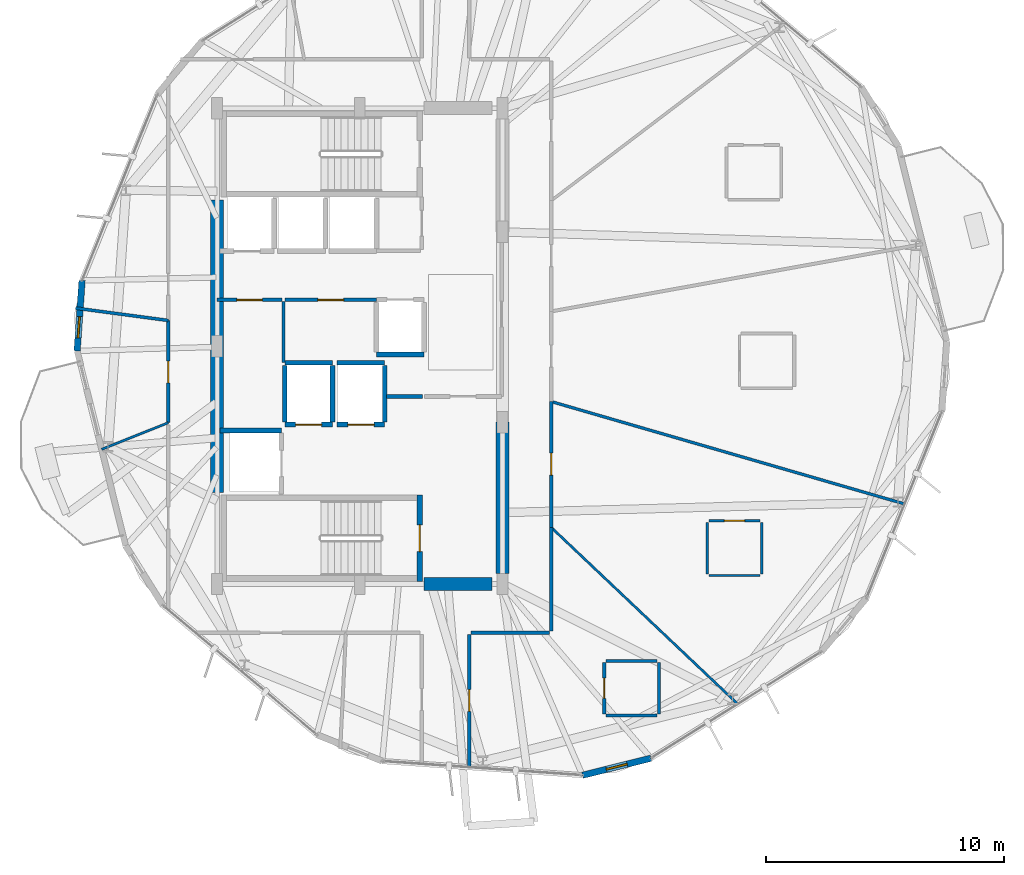
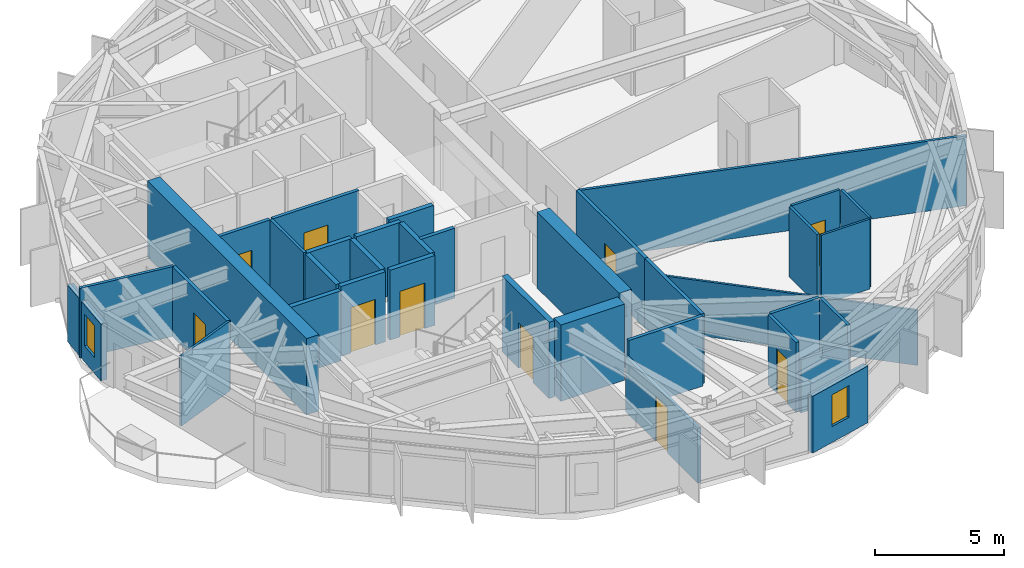
# One storey, part 16 of 22: 36 walls, 10 doors, 2 windows, 12 openings.
"""IFC4 building model written with IfcOpenShell, lengths in metres."""

from ifc_helpers import new_model, si_unit, direction, frame, frame_2d, origin, place, context, subcontext, project, spatial, rectangle, extrude, material, layer, layer_set, type_object, element, fill, save


model = new_model("IFC4")

# Units and contexts
model_context = context("Model", 3, precision=1e-05, world=origin(), true_north=direction((0.0, 1.0)))
body_context = subcontext(model_context, "Body", "Model", "MODEL_VIEW")
ifc_project = project(units=[si_unit("LENGTHUNIT", "METRE"), si_unit("AREAUNIT", "SQUARE_METRE"), si_unit("VOLUMEUNIT", "CUBIC_METRE"), si_unit("PLANEANGLEUNIT", "RADIAN"), si_unit("MASSUNIT", "GRAM", prefix="KILO")], contexts=[model_context])

# Site, building, storey
site_placement = place(None, origin())
site = spatial("IfcSite", under=ifc_project, at=site_placement, CompositionType="ELEMENT")
building_placement = place(site_placement, origin())
building = spatial("IfcBuilding", under=site, at=building_placement, Name="Soratama Intermodal Tower", CompositionType="ELEMENT")
storey_placement = place(building_placement, frame((0.0, 0.0, 157.0)))
storey = spatial("IfcBuildingStorey", under=building, at=storey_placement, Name="L38", CompositionType="ELEMENT", Elevation=157.0)

# Wall, opening, window
ifc_material_1 = material(Name="Concrete f'c 42 MPa", Category="concrete")
ifc_layer_1 = layer(ifc_material_1, 0.27001953125)
ifc_layer_set_1 = layer_set([ifc_layer_1], Name="Concrete f'c 42 MPa")
wall_type_1 = type_object("IfcWallType", Name="EW-CRN-270", PredefinedType="SOLIDWALL", material=ifc_layer_set_1)
wall_1_placement = place(storey_placement, frame((26.927001953125, 27.757080078125, 0.0), z_axis=(0.0, 0.0, 1.0), x_axis=(-0.070118221482, -0.997538688481, 0.0)))
wall_1 = element("IfcWall", 1, at=wall_1_placement, inside=storey, type_object=wall_type_1, Name="L38 Corner Closure Wall 04", PredefinedType="SOLIDWALL", context=body_context, shape_type="SweptSolid", body=[
    extrude(rectangle(XDim=2.966552734375, YDim=0.27001953125, at=frame_2d((1.4833984375, 0.0))), origin(), (0.0, 0.0, 1.0), 2.678955078125),
])
opening_1_placement = place(wall_1_placement, frame((1.519287109375, 0.0, 0.75)))
opening_1 = element("IfcOpeningElement", 2, at=opening_1_placement, cuts=wall_1, Name="Opening WN-6", PredefinedType="OPENING", context=body_context, shape_type="SweptSolid", body=[
    extrude(rectangle(XDim=0.89990234375, YDim=1.5, at=frame_2d((0.449951171875, 0.75))), frame((0.0, 0.14501953125, 0.0), z_axis=(0.0, -1.0, 0.0), x_axis=(1.0, 0.0, 0.0)), (0.0, 0.0, 1.0), 0.2900390625),
])
ifc_material_2 = material(Name="Double-glazed aluminium window", Category="aluminium")
window_type = type_object("IfcWindowType", Name="WN-FAC-900", PartitioningType="SINGLE_PANEL", PredefinedType="WINDOW", material=ifc_material_2)
window_1_placement = place(opening_1_placement, origin())
window_1 = element("IfcWindow", 3, at=window_1_placement, inside=storey, type_object=window_type, Name="L38 Corner Window 04", OverallHeight=1.5, OverallWidth=0.89990234375, PartitioningType="SINGLE_PANEL", PredefinedType="WINDOW", context=body_context, shape_type="SweptSolid", body=[
    extrude(rectangle(XDim=0.89990234375, YDim=1.5, at=frame_2d((0.449951171875, 0.75))), frame((0.0, 0.030029296875, 0.0), z_axis=(0.0, -1.0, 0.0), x_axis=(1.0, 0.0, 0.0)), (0.0, 0.0, 1.0), 0.06005859375),
])
fill(opening_1, window_1)

wall_2_placement = place(storey_placement, frame((47.962890625, 6.95947265625, 0.0), z_axis=(0.0, 0.0, 1.0), x_axis=(0.970388894823, 0.241547909957, 0.0)))
wall_2 = element("IfcWall", 4, at=wall_2_placement, inside=storey, type_object=wall_type_1, Name="L38 Corner Closure Wall 07", PredefinedType="SOLIDWALL", context=body_context, shape_type="SweptSolid", body=[
    extrude(rectangle(XDim=2.966552734375, YDim=0.27001953125, at=frame_2d((1.4833984375, 0.0))), origin(), (0.0, 0.0, 1.0), 2.678955078125),
])
opening_2_placement = place(wall_2_placement, frame((1.033203125, 0.0, 0.75)))
opening_2 = element("IfcOpeningElement", 5, at=opening_2_placement, cuts=wall_2, Name="Opening WN-6", PredefinedType="OPENING", context=body_context, shape_type="SweptSolid", body=[
    extrude(rectangle(XDim=0.89990234375, YDim=1.5, at=frame_2d((0.449951171875, 0.75))), frame((0.0, 0.14501953125, 0.0), z_axis=(0.0, -1.0, 0.0), x_axis=(1.0, 0.0, 0.0)), (0.0, 0.0, 1.0), 0.2900390625),
])
window_2_placement = place(opening_2_placement, origin())
window_2 = element("IfcWindow", 6, at=window_2_placement, inside=storey, type_object=window_type, Name="L38 Corner Window 07", OverallHeight=1.5, OverallWidth=0.89990234375, PartitioningType="SINGLE_PANEL", PredefinedType="WINDOW", context=body_context, shape_type="SweptSolid", body=[
    extrude(rectangle(XDim=0.89990234375, YDim=1.5, at=frame_2d((0.449951171875, 0.75))), frame((0.0, 0.030029296875, 0.0), z_axis=(0.0, -1.0, 0.0), x_axis=(1.0, 0.0, 0.0)), (0.0, 0.0, 1.0), 0.06005859375),
])
fill(opening_2, window_2)

# Wall, opening, door
ifc_material_3 = material(Name="Fire-rated gypsum stud partition", Category="concrete")
ifc_layer_2 = layer(ifc_material_3, 0.14990234375)
ifc_layer_set_2 = layer_set([ifc_layer_2], Name="Fire-rated gypsum stud partition")
wall_type_2 = type_object("IfcWallType", Name="IW-PART-R150", PredefinedType="PARTITIONING", material=ifc_layer_set_2)
wall_3_placement = place(storey_placement, frame((43.199951171875, 12.8798828125, 0.0), z_axis=(0.0, 0.0, 1.0), x_axis=(0.0, -1.0, 0.0)))
wall_3 = element("IfcWall", 7, at=wall_3_placement, inside=storey, type_object=wall_type_2, Name="L38 Partition W-L38-TP012", PredefinedType="PARTITIONING", context=body_context, shape_type="SweptSolid", body=[
    extrude(rectangle(XDim=5.5859375, YDim=0.14990234375, at=frame_2d((2.79296875, 0.0))), origin(), (0.0, 0.0, 1.0), 2.594970703125),
])
opening_3_placement = place(wall_3_placement, frame((2.318115234375, 0.0, 0.0)))
opening_3 = element("IfcOpeningElement", 8, at=opening_3_placement, cuts=wall_3, Name="Opening ID-6", PredefinedType="OPENING", context=body_context, shape_type="SweptSolid", body=[
    extrude(rectangle(XDim=0.919921875, YDim=2.1201171875, at=frame_2d((0.4599609375, 1.06005859375))), frame((0.0, 0.0849609375, 0.0), z_axis=(0.0, -1.0, 0.0), x_axis=(1.0, 0.0, 0.0)), (0.0, 0.0, 1.0), 0.169921875),
])
ifc_material_4 = material(Name="Solid hardwood acoustic door", Category="wood")
door_type_1 = type_object("IfcDoorType", Name="DR-ROOM-920", OperationType="NOTDEFINED", PredefinedType="DOOR", material=ifc_material_4)
door_1_placement = place(opening_3_placement, origin())
door_1 = element("IfcDoor", 9, at=door_1_placement, inside=storey, type_object=door_type_1, Name="L38 Door D-L38-TP007", OperationType="SINGLE_SWING_RIGHT", OverallHeight=2.1201171875, OverallWidth=0.919921875, PredefinedType="DOOR", context=body_context, shape_type="SweptSolid", body=[
    extrude(rectangle(XDim=0.919921875, YDim=2.1201171875, at=frame_2d((0.4599609375, 1.06005859375))), frame((0.0, 0.02490234375, 0.0), z_axis=(0.0, -1.0, 0.0), x_axis=(1.0, 0.0, 0.0)), (0.0, 0.0, 1.0), 0.050048828125),
])
fill(opening_3, door_1)

wall_4_placement = place(storey_placement, frame((46.64990234375, 22.66796875, 0.0), z_axis=(0.0, 0.0, 1.0), x_axis=(0.0, -1.0, 0.0)))
wall_4 = element("IfcWall", 10, at=wall_4_placement, inside=storey, type_object=wall_type_2, Name="L38 Partition W-L38-TP014", PredefinedType="PARTITIONING", context=body_context, shape_type="SweptSolid", body=[
    extrude(rectangle(XDim=5.291015625, YDim=0.14990234375, at=frame_2d((2.6455078125, 0.0))), origin(), (0.0, 0.0, 1.0), 3.300048828125),
])
opening_4_placement = place(wall_4_placement, frame((2.1708984375, 0.0, 0.0)))
opening_4 = element("IfcOpeningElement", 11, at=opening_4_placement, cuts=wall_4, Name="Opening ID-6", PredefinedType="OPENING", context=body_context, shape_type="SweptSolid", body=[
    extrude(rectangle(XDim=0.919921875, YDim=2.1201171875, at=frame_2d((0.4599609375, 1.06005859375))), frame((0.0, 0.0849609375, 0.0), z_axis=(0.0, -1.0, 0.0), x_axis=(1.0, 0.0, 0.0)), (0.0, 0.0, 1.0), 0.169921875),
])
door_2_placement = place(opening_4_placement, origin())
door_2 = element("IfcDoor", 12, at=door_2_placement, inside=storey, type_object=door_type_1, Name="L38 Door D-L38-TP009", OperationType="SINGLE_SWING_RIGHT", OverallHeight=2.1201171875, OverallWidth=0.919921875, PredefinedType="DOOR", context=body_context, shape_type="SweptSolid", body=[
    extrude(rectangle(XDim=0.919921875, YDim=2.1201171875, at=frame_2d((0.4599609375, 1.06005859375))), frame((0.0, 0.02490234375, 0.0), z_axis=(0.0, -1.0, 0.0), x_axis=(1.0, 0.0, 0.0)), (0.0, 0.0, 1.0), 0.050048828125),
])
fill(opening_4, door_2)

# Wall
wall_5_placement = place(storey_placement, frame((46.64990234375, 17.376953125, 0.0), z_axis=(0.0, 0.0, 1.0), x_axis=(0.0, -1.0, 0.0)))
element("IfcWall", 13, at=wall_5_placement, inside=storey, type_object=wall_type_2, Name="L38 Partition W-L38-TP019", PredefinedType="PARTITIONING", context=body_context, shape_type="SweptSolid", body=[
    extrude(rectangle(XDim=4.35693359375, YDim=0.14990234375, at=frame_2d((2.178466796875, 0.0))), origin(), (0.0, 0.0, 1.0), 3.300048828125),
])

# Wall, opening, door
wall_6_placement = place(storey_placement, frame((30.550048828125, 21.778076171875, 0.0), z_axis=(0.0, 0.0, 1.0), x_axis=(0.0, 1.0, 0.0)))
wall_6 = element("IfcWall", 14, at=wall_6_placement, inside=storey, type_object=wall_type_2, Name="L38 Partition W-L38-TP020", PredefinedType="PARTITIONING", context=body_context, shape_type="SweptSolid", body=[
    extrude(rectangle(XDim=4.298828125, YDim=0.14990234375, at=frame_2d((2.1494140625, 0.0))), origin(), (0.0, 0.0, 1.0), 3.300048828125),
])
opening_5_placement = place(wall_6_placement, frame((1.675048828125, 0.0, 0.0)))
opening_5 = element("IfcOpeningElement", 15, at=opening_5_placement, cuts=wall_6, Name="Opening ID-6", PredefinedType="OPENING", context=body_context, shape_type="SweptSolid", body=[
    extrude(rectangle(XDim=0.919921875, YDim=2.1201171875, at=frame_2d((0.4599609375, 1.06005859375))), frame((0.0, 0.0849609375, 0.0), z_axis=(0.0, -1.0, 0.0), x_axis=(1.0, 0.0, 0.0)), (0.0, 0.0, 1.0), 0.169921875),
])
door_3_placement = place(opening_5_placement, origin())
door_3 = element("IfcDoor", 16, at=door_3_placement, inside=storey, type_object=door_type_1, Name="L38 Door D-L38-TP012", OperationType="SINGLE_SWING_LEFT", OverallHeight=2.1201171875, OverallWidth=0.919921875, PredefinedType="DOOR", context=body_context, shape_type="SweptSolid", body=[
    extrude(rectangle(XDim=0.919921875, YDim=2.1201171875, at=frame_2d((0.4599609375, 1.06005859375))), frame((0.0, 0.02490234375, 0.0), z_axis=(0.0, -1.0, 0.0), x_axis=(1.0, 0.0, 0.0)), (0.0, 0.0, 1.0), 0.050048828125),
])
fill(opening_5, door_3)

wall_7_placement = place(storey_placement, frame((39.300048828125, 26.93994140625, 0.0), z_axis=(0.0, 0.0, 1.0), x_axis=(-1.0, 0.0, 0.0)))
wall_7 = element("IfcWall", 17, at=wall_7_placement, inside=storey, type_object=wall_type_2, Name="L38 Partition W-L38-TP022", PredefinedType="PARTITIONING", context=body_context, shape_type="SweptSolid", body=[
    extrude(rectangle(XDim=3.840087890625, YDim=0.14990234375, at=frame_2d((1.919921875, 0.0))), origin(), (0.0, 0.0, 1.0), 3.300048828125),
])
opening_6_placement = place(wall_7_placement, frame((1.3798828125, 0.0, 0.0)))
opening_6 = element("IfcOpeningElement", 18, at=opening_6_placement, cuts=wall_7, Name="Opening ID-1", PredefinedType="OPENING", context=body_context, shape_type="SweptSolid", body=[
    extrude(rectangle(XDim=1.080078125, YDim=2.14990234375, at=frame_2d((0.5400390625, 1.074951171875))), frame((0.0, 0.0849609375, 0.0), z_axis=(0.0, -1.0, 0.0), x_axis=(1.0, 0.0, 0.0)), (0.0, 0.0, 1.0), 0.169921875),
])
ifc_material_5 = material(Name="Solid hardwood acoustic door", Category="wood")
door_type_2 = type_object("IfcDoorType", Name="DR-LOB-FD60", OperationType="NOTDEFINED", PredefinedType="DOOR", material=ifc_material_5)
door_4_placement = place(opening_6_placement, origin())
door_4 = element("IfcDoor", 19, at=door_4_placement, inside=storey, type_object=door_type_2, Name="L38 Door D-L38-TP013", OperationType="SINGLE_SWING_RIGHT", OverallHeight=2.14990234375, OverallWidth=1.080078125, PredefinedType="DOOR", context=body_context, shape_type="SweptSolid", body=[
    extrude(rectangle(XDim=1.080078125, YDim=2.14990234375, at=frame_2d((0.5400390625, 1.074951171875))), frame((0.0, 0.02490234375, 0.0), z_axis=(0.0, -1.0, 0.0), x_axis=(1.0, 0.0, 0.0)), (0.0, 0.0, 1.0), 0.050048828125),
])
fill(opening_6, door_4)

# Wall
wall_8_placement = place(storey_placement, frame((46.580078125, 12.949951171875, 0.0), z_axis=(0.0, 0.0, 1.0), x_axis=(-1.0, 0.0, 0.0)))
element("IfcWall", 20, at=wall_8_placement, inside=storey, type_object=wall_type_2, Name="L38 Partition W-L38-TP025", PredefinedType="PARTITIONING", context=body_context, shape_type="SweptSolid", body=[
    extrude(rectangle(XDim=3.31005859375, YDim=0.14990234375, at=frame_2d((1.655029296875, 0.0))), origin(), (0.0, 0.0, 1.0), 3.300048828125),
])

# Wall, opening, door
wall_9_placement = place(storey_placement, frame((35.340087890625, 26.93994140625, 0.0), z_axis=(0.0, 0.0, 1.0), x_axis=(-1.0, 0.0, 0.0)))
wall_9 = element("IfcWall", 21, at=wall_9_placement, inside=storey, type_object=wall_type_2, Name="L38 Partition W-L38-TP030", PredefinedType="PARTITIONING", context=body_context, shape_type="SweptSolid", body=[
    extrude(rectangle(XDim=2.739990234375, YDim=0.14990234375, at=frame_2d((1.3701171875, 0.0))), origin(), (0.0, 0.0, 1.0), 3.300048828125),
])
opening_7_placement = place(wall_9_placement, frame((0.830078125, 0.0, 0.0)))
opening_7 = element("IfcOpeningElement", 22, at=opening_7_placement, cuts=wall_9, Name="Opening ID-1", PredefinedType="OPENING", context=body_context, shape_type="SweptSolid", body=[
    extrude(rectangle(XDim=1.080078125, YDim=2.14990234375, at=frame_2d((0.5400390625, 1.074951171875))), frame((0.0, 0.0849609375, 0.0), z_axis=(0.0, -1.0, 0.0), x_axis=(1.0, 0.0, 0.0)), (0.0, 0.0, 1.0), 0.169921875),
])
door_5_placement = place(opening_7_placement, origin())
door_5 = element("IfcDoor", 23, at=door_5_placement, inside=storey, type_object=door_type_2, Name="L38 Door D-L38-TP016", OperationType="SINGLE_SWING_LEFT", OverallHeight=2.14990234375, OverallWidth=1.080078125, PredefinedType="DOOR", context=body_context, shape_type="SweptSolid", body=[
    extrude(rectangle(XDim=1.080078125, YDim=2.14990234375, at=frame_2d((0.5400390625, 1.074951171875))), frame((0.0, 0.02490234375, 0.0), z_axis=(0.0, -1.0, 0.0), x_axis=(1.0, 0.0, 0.0)), (0.0, 0.0, 1.0), 0.050048828125),
])
fill(opening_7, door_5)

# Walls
ifc_material_6 = material(Name="Fire-rated gypsum stud partition", Category="concrete")
ifc_layer_3 = layer(ifc_material_6, 0.169921875)
ifc_layer_set_3 = layer_set([ifc_layer_3], Name="Fire-rated gypsum stud partition")
wall_type_3 = type_object("IfcWallType", Name="IW-PART-R170", PredefinedType="PARTITIONING", material=ifc_layer_set_3)
wall_10_placement = place(storey_placement, frame((39.719970703125, 22.889892578125, 0.0), z_axis=(0.0, 0.0, 1.0), x_axis=(1.0, 0.0, 0.0)))
element("IfcWall", 24, at=wall_10_placement, inside=storey, type_object=wall_type_3, Name="L38 Partition W-L38-TP050", PredefinedType="PARTITIONING", context=body_context, shape_type="SweptSolid", body=[
    extrude(rectangle(XDim=1.52001953125, YDim=0.169921875, at=frame_2d((0.760009765625, 0.0))), origin(), (0.0, 0.0, 1.0), 3.300048828125),
])
ifc_material_7 = material(Name="Fire-rated gypsum stud partition", Category="concrete")
ifc_layer_4 = layer(ifc_material_7, 0.10009765625)
ifc_layer_set_4 = layer_set([ifc_layer_4], Name="Fire-rated gypsum stud partition")
wall_type_4 = type_object("IfcWallType", Name="IW-PART-S100", PredefinedType="PARTITIONING", material=ifc_layer_set_4)
wall_11_placement = place(storey_placement, frame((46.64990234375, 17.376953125, 0.0), z_axis=(0.0, 0.0, 1.0), x_axis=(0.726165374711, -0.687520071395, 0.0)))
element("IfcWall", 25, at=wall_11_placement, inside=storey, type_object=wall_type_4, Name="L38 Partition W-L38-TP004", PredefinedType="PARTITIONING", context=body_context, shape_type="SweptSolid", body=[
    extrude(rectangle(XDim=10.796630859375, YDim=0.10009765625, at=frame_2d((5.3984375, 0.0))), origin(), (0.0, 0.0, 1.0), 2.594970703125),
])
wall_12_placement = place(storey_placement, frame((30.550048828125, 21.778076171875, 0.0), z_axis=(0.0, 0.0, 1.0), x_axis=(-0.928621753336, -0.371027814634, 0.0)))
element("IfcWall", 26, at=wall_12_placement, inside=storey, type_object=wall_type_4, Name="L38 Partition W-L38-TP029", PredefinedType="PARTITIONING", context=body_context, shape_type="SweptSolid", body=[
    extrude(rectangle(XDim=3.016357421875, YDim=0.10009765625, at=frame_2d((1.50830078125, 0.0))), origin(), (0.0, 0.0, 1.0), 3.300048828125),
])
wall_13_placement = place(storey_placement, frame((53.27490234375, 15.35693359375, 0.0), z_axis=(0.0, 0.0, 1.0), x_axis=(1.0, 0.0, 0.0)))
element("IfcWall", 27, at=wall_13_placement, inside=storey, type_object=wall_type_4, Name="L38 Partition W-L38-TP034", PredefinedType="PARTITIONING", context=body_context, shape_type="SweptSolid", body=[
    extrude(rectangle(XDim=2.16015625, YDim=0.10009765625, at=frame_2d((1.080078125, 0.0))), origin(), (0.0, 0.0, 1.0), 3.300048828125),
])

# Wall, opening, door
ifc_material_8 = material(Name="Fire-rated gypsum stud partition", Category="concrete")
ifc_layer_5 = layer(ifc_material_8, 0.110107421875)
ifc_layer_set_5 = layer_set([ifc_layer_5], Name="Fire-rated gypsum stud partition")
wall_type_5 = type_object("IfcWallType", Name="IW-PART-S110", PredefinedType="PARTITIONING", material=ifc_layer_set_5)
wall_14_placement = place(storey_placement, frame((55.43505859375, 17.656982421875, 0.0), z_axis=(0.0, 0.0, 1.0), x_axis=(-1.0, 0.0, 0.0)))
wall_14 = element("IfcWall", 28, at=wall_14_placement, inside=storey, type_object=wall_type_5, Name="L38 Partition W-L38-TP033", PredefinedType="PARTITIONING", context=body_context, shape_type="SweptSolid", body=[
    extrude(rectangle(XDim=2.16015625, YDim=0.110107421875, at=frame_2d((1.080078125, 0.0))), origin(), (0.0, 0.0, 1.0), 3.300048828125),
])
opening_8_placement = place(wall_14_placement, frame((0.655029296875, 0.0, 0.0)))
opening_8 = element("IfcOpeningElement", 29, at=opening_8_placement, cuts=wall_14, Name="Opening ID-4", PredefinedType="OPENING", context=body_context, shape_type="SweptSolid", body=[
    extrude(rectangle(XDim=0.85009765625, YDim=2.10009765625, at=frame_2d((0.425048828125, 1.050048828125))), frame((0.0, 0.06494140625, 0.0), z_axis=(0.0, -1.0, 0.0), x_axis=(1.0, 0.0, 0.0)), (0.0, 0.0, 1.0), 0.130126953125),
])
ifc_material_9 = material(Name="Solid hardwood acoustic door", Category="wood")
door_type_3 = type_object("IfcDoorType", Name="DR-BATH-850", OperationType="NOTDEFINED", PredefinedType="DOOR", material=ifc_material_9)
door_6_placement = place(opening_8_placement, origin())
door_6 = element("IfcDoor", 30, at=door_6_placement, inside=storey, type_object=door_type_3, Name="L38 Door D-L38-TP018", OperationType="SINGLE_SWING_LEFT", OverallHeight=2.10009765625, OverallWidth=0.85009765625, PredefinedType="DOOR", context=body_context, shape_type="SweptSolid", body=[
    extrude(rectangle(XDim=0.85009765625, YDim=2.10009765625, at=frame_2d((0.425048828125, 1.050048828125))), frame((0.0, 0.02490234375, 0.0), z_axis=(0.0, -1.0, 0.0), x_axis=(1.0, 0.0, 0.0)), (0.0, 0.0, 1.0), 0.050048828125),
])
fill(opening_8, door_6)

# Walls
wall_15_placement = place(storey_placement, frame((55.5048828125, 15.427001953125, 0.0), z_axis=(0.0, 0.0, 1.0), x_axis=(0.0, 1.0, 0.0)))
element("IfcWall", 31, at=wall_15_placement, inside=storey, type_object=wall_type_5, Name="L38 Partition W-L38-TP038", PredefinedType="PARTITIONING", context=body_context, shape_type="SweptSolid", body=[
    extrude(rectangle(XDim=2.159912109375, YDim=0.110107421875, at=frame_2d((1.080078125, 0.0))), origin(), (0.0, 0.0, 1.0), 3.300048828125),
])
ifc_material_10 = material(Name="Fire-rated gypsum stud partition", Category="concrete")
ifc_layer_6 = layer(ifc_material_10, 0.1201171875)
ifc_layer_set_6 = layer_set([ifc_layer_6], Name="Fire-rated gypsum stud partition")
wall_type_6 = type_object("IfcWallType", Name="IW-PART-S120", PredefinedType="PARTITIONING", material=ifc_layer_set_6)
wall_16_placement = place(storey_placement, frame((46.64990234375, 22.66796875, 0.0), z_axis=(0.0, 0.0, 1.0), x_axis=(0.960493218243, -0.27830339148, 0.0)))
element("IfcWall", 32, at=wall_16_placement, inside=storey, type_object=wall_type_6, Name="L38 Partition W-L38-TP002", PredefinedType="PARTITIONING", context=body_context, shape_type="SweptSolid", body=[
    extrude(rectangle(XDim=15.465087890625, YDim=0.1201171875, at=frame_2d((7.732421875, 0.0))), origin(), (0.0, 0.0, 1.0), 3.300048828125),
])
wall_17_placement = place(storey_placement, frame((53.205078125, 17.5869140625, 0.0), z_axis=(0.0, 0.0, 1.0), x_axis=(0.0, -1.0, 0.0)))
element("IfcWall", 33, at=wall_17_placement, inside=storey, type_object=wall_type_6, Name="L38 Partition W-L38-TP037", PredefinedType="PARTITIONING", context=body_context, shape_type="SweptSolid", body=[
    extrude(rectangle(XDim=2.159912109375, YDim=0.1201171875, at=frame_2d((1.080078125, 0.0))), origin(), (0.0, 0.0, 1.0), 3.300048828125),
])
ifc_material_11 = material(Name="Fire-rated gypsum stud partition", Category="concrete")
ifc_layer_7 = layer(ifc_material_11, 0.1298828125)
ifc_layer_set_7 = layer_set([ifc_layer_7], Name="Fire-rated gypsum stud partition")
wall_type_7 = type_object("IfcWallType", Name="IW-PART-S130", PredefinedType="PARTITIONING", material=ifc_layer_set_7)
wall_18_placement = place(storey_placement, frame((30.550048828125, 26.076904296875, 0.0), z_axis=(0.0, 0.0, 1.0), x_axis=(-0.991224642202, 0.132188156399, 0.0)))
element("IfcWall", 34, at=wall_18_placement, inside=storey, type_object=wall_type_7, Name="L38 Partition W-L38-TP021", PredefinedType="PARTITIONING", context=body_context, shape_type="SweptSolid", body=[
    extrude(rectangle(XDim=3.926513671875, YDim=0.1298828125, at=frame_2d((1.96337890625, 0.0))), origin(), (0.0, 0.0, 1.0), 3.300048828125),
])
wall_19_placement = place(storey_placement, frame((35.39990234375, 26.8798828125, 0.0), z_axis=(0.0, 0.0, 1.0), x_axis=(0.0, -1.0, 0.0)))
element("IfcWall", 35, at=wall_19_placement, inside=storey, type_object=wall_type_7, Name="L38 Partition W-L38-TP031", PredefinedType="PARTITIONING", context=body_context, shape_type="SweptSolid", body=[
    extrude(rectangle(XDim=2.579833984375, YDim=0.1298828125, at=frame_2d((1.2900390625, 0.0))), origin(), (0.0, 0.0, 1.0), 3.300048828125),
])
wall_20_placement = place(storey_placement, frame((51.172119140625, 9.534912109375, 0.0), z_axis=(0.0, 0.0, 1.0), x_axis=(0.0, 1.0, 0.0)))
element("IfcWall", 36, at=wall_20_placement, inside=storey, type_object=wall_type_7, Name="L38 Partition W-L38-TP036", PredefinedType="PARTITIONING", context=body_context, shape_type="SweptSolid", body=[
    extrude(rectangle(XDim=2.16015625, YDim=0.1298828125, at=frame_2d((1.080078125, 0.0))), origin(), (0.0, 0.0, 1.0), 3.300048828125),
])
wall_21_placement = place(storey_placement, frame((48.94189453125, 9.465087890625, 0.0), z_axis=(0.0, 0.0, 1.0), x_axis=(1.0, 0.0, 0.0)))
element("IfcWall", 37, at=wall_21_placement, inside=storey, type_object=wall_type_7, Name="L38 Partition W-L38-TP046", PredefinedType="PARTITIONING", context=body_context, shape_type="SweptSolid", body=[
    extrude(rectangle(XDim=2.16015625, YDim=0.1298828125, at=frame_2d((1.080078125, 0.0))), origin(), (0.0, 0.0, 1.0), 2.510986328125),
])

# Wall, opening, door
ifc_material_12 = material(Name="Fire-rated gypsum stud partition", Category="concrete")
ifc_layer_8 = layer(ifc_material_12, 0.139892578125)
ifc_layer_set_8 = layer_set([ifc_layer_8], Name="Fire-rated gypsum stud partition")
wall_type_8 = type_object("IfcWallType", Name="IW-PART-S140", PredefinedType="PARTITIONING", material=ifc_layer_set_8)
wall_22_placement = place(storey_placement, frame((48.8720703125, 11.695068359375, 0.0), z_axis=(0.0, 0.0, 1.0), x_axis=(0.0, -1.0, 0.0)))
wall_22 = element("IfcWall", 38, at=wall_22_placement, inside=storey, type_object=wall_type_8, Name="L38 Partition W-L38-TP035", PredefinedType="PARTITIONING", context=body_context, shape_type="SweptSolid", body=[
    extrude(rectangle(XDim=2.16015625, YDim=0.139892578125, at=frame_2d((1.080078125, 0.0))), origin(), (0.0, 0.0, 1.0), 3.300048828125),
])
opening_9_placement = place(wall_22_placement, frame((0.655029296875, 0.0, 0.0)))
opening_9 = element("IfcOpeningElement", 39, at=opening_9_placement, cuts=wall_22, Name="Opening ID-4", PredefinedType="OPENING", context=body_context, shape_type="SweptSolid", body=[
    extrude(rectangle(XDim=0.85009765625, YDim=2.10009765625, at=frame_2d((0.425048828125, 1.050048828125))), frame((0.0, 0.079833984375, 0.0), z_axis=(0.0, -1.0, 0.0), x_axis=(1.0, 0.0, 0.0)), (0.0, 0.0, 1.0), 0.159912109375),
])
door_7_placement = place(opening_9_placement, origin())
door_7 = element("IfcDoor", 40, at=door_7_placement, inside=storey, type_object=door_type_3, Name="L38 Door D-L38-TP019", OperationType="SINGLE_SWING_RIGHT", OverallHeight=2.10009765625, OverallWidth=0.85009765625, PredefinedType="DOOR", context=body_context, shape_type="SweptSolid", body=[
    extrude(rectangle(XDim=0.85009765625, YDim=2.10009765625, at=frame_2d((0.425048828125, 1.050048828125))), frame((0.0, 0.02490234375, 0.0), z_axis=(0.0, -1.0, 0.0), x_axis=(1.0, 0.0, 0.0)), (0.0, 0.0, 1.0), 0.050048828125),
])
fill(opening_9, door_7)

# Wall
wall_23_placement = place(storey_placement, frame((51.10205078125, 11.764892578125, 0.0), z_axis=(0.0, 0.0, 1.0), x_axis=(-1.0, 0.0, 0.0)))
element("IfcWall", 41, at=wall_23_placement, inside=storey, type_object=wall_type_8, Name="L38 Partition W-L38-TP045", PredefinedType="PARTITIONING", context=body_context, shape_type="SweptSolid", body=[
    extrude(rectangle(XDim=2.16015625, YDim=0.139892578125, at=frame_2d((1.080078125, 0.0))), origin(), (0.0, 0.0, 1.0), 3.300048828125),
])

# Wall, opening, door
ifc_material_13 = material(Name="Concrete f'c 42 MPa", Category="concrete")
ifc_layer_9 = layer(ifc_material_13, 0.199951171875)
ifc_layer_set_9 = layer_set([ifc_layer_9], Name="Concrete f'c 42 MPa")
wall_type_9 = type_object("IfcWallType", Name="IW-SHAFT-200", PredefinedType="SOLIDWALL", material=ifc_layer_set_9)
wall_24_placement = place(storey_placement, frame((35.449951171875, 21.699951171875, 0.0), z_axis=(0.0, 0.0, 1.0), x_axis=(1.0, 0.0, 0.0)))
wall_24 = element("IfcWall", 42, at=wall_24_placement, inside=storey, type_object=wall_type_9, Name="L38 FFL-1 Hoistway Wall S", PredefinedType="SOLIDWALL", context=body_context, shape_type="SweptSolid", body=[
    extrude(rectangle(XDim=2.0, YDim=0.199951171875, at=frame_2d((1.0, 0.0))), origin(), (0.0, 0.0, 1.0), 3.300048828125),
])
opening_10_placement = place(wall_24_placement, frame((0.449951171875, 0.0, 0.0)))
opening_10 = element("IfcOpeningElement", 43, at=opening_10_placement, cuts=wall_24, Name="Opening LD-1", PredefinedType="OPENING", context=body_context, shape_type="SweptSolid", body=[
    extrude(rectangle(XDim=1.10009765625, YDim=2.14990234375, at=frame_2d((0.550048828125, 1.074951171875))), frame((0.0, 0.10986328125, 0.0), z_axis=(0.0, -1.0, 0.0), x_axis=(1.0, 0.0, 0.0)), (0.0, 0.0, 1.0), 0.219970703125),
])
ifc_material_14 = material(Name="Steel fire door", Category="steel")
door_type_4 = type_object("IfcDoorType", Name="DR-LIFT-SLIDE", OperationType="NOTDEFINED", PredefinedType="DOOR", material=ifc_material_14)
door_8_placement = place(opening_10_placement, origin())
door_8 = element("IfcDoor", 44, at=door_8_placement, inside=storey, type_object=door_type_4, Name="L38 FFL-1 Sliding Landing Door", OperationType="SLIDING_TO_LEFT", OverallHeight=2.14990234375, OverallWidth=1.10009765625, PredefinedType="DOOR", context=body_context, shape_type="SweptSolid", body=[
    extrude(rectangle(XDim=1.10009765625, YDim=2.14990234375, at=frame_2d((0.550048828125, 1.074951171875))), frame((0.0, 0.02490234375, 0.0), z_axis=(0.0, -1.0, 0.0), x_axis=(1.0, 0.0, 0.0)), (0.0, 0.0, 1.0), 0.050048828125),
])
fill(opening_10, door_8)

# Walls
wall_25_placement = place(storey_placement, frame((35.449951171875, 24.300048828125, 0.0), z_axis=(0.0, 0.0, 1.0), x_axis=(1.0, 0.0, 0.0)))
element("IfcWall", 45, at=wall_25_placement, inside=storey, type_object=wall_type_9, Name="L38 FFL-1 Hoistway Wall N", PredefinedType="SOLIDWALL", context=body_context, shape_type="SweptSolid", body=[
    extrude(rectangle(XDim=2.0, YDim=0.199951171875, at=frame_2d((1.0, 0.0))), origin(), (0.0, 0.0, 1.0), 3.300048828125),
])
for number, where, z_axis, x_axis, name in (
    (46, (35.449951171875, 21.81005859375, 0.0), (0.0, 0.0, 1.0), (0.0, 1.0, 0.0), "L38 FFL-1 Hoistway Wall W"),
    (47, (37.449951171875, 21.81005859375, 0.0), (0.0, 0.0, 1.0), (0.0, 1.0, 0.0), "L38 FFL-1 Hoistway Wall E"),
):
    element("IfcWall", number, at=place(storey_placement, frame(where, z_axis=z_axis, x_axis=x_axis)), inside=storey, type_object=wall_type_9, Name=name, PredefinedType="SOLIDWALL", context=body_context, shape_type="SweptSolid", body=[
        extrude(rectangle(XDim=2.3798828125, YDim=0.199951171875, at=frame_2d((1.18994140625, 0.0))), origin(), (0.0, 0.0, 1.0), 3.300048828125),
    ])

# Wall, opening, door
wall_26_placement = place(storey_placement, frame((37.64990234375, 21.699951171875, 0.0), z_axis=(0.0, 0.0, 1.0), x_axis=(1.0, 0.0, 0.0)))
wall_26 = element("IfcWall", 48, at=wall_26_placement, inside=storey, type_object=wall_type_9, Name="L38 FFL-2 Hoistway Wall S", PredefinedType="SOLIDWALL", context=body_context, shape_type="SweptSolid", body=[
    extrude(rectangle(XDim=2.0, YDim=0.199951171875, at=frame_2d((1.0, 0.0))), origin(), (0.0, 0.0, 1.0), 3.300048828125),
])
opening_11_placement = place(wall_26_placement, frame((0.449951171875, 0.0, 0.0)))
opening_11 = element("IfcOpeningElement", 49, at=opening_11_placement, cuts=wall_26, Name="Opening LD-1", PredefinedType="OPENING", context=body_context, shape_type="SweptSolid", body=[
    extrude(rectangle(XDim=1.10009765625, YDim=2.14990234375, at=frame_2d((0.550048828125, 1.074951171875))), frame((0.0, 0.10986328125, 0.0), z_axis=(0.0, -1.0, 0.0), x_axis=(1.0, 0.0, 0.0)), (0.0, 0.0, 1.0), 0.219970703125),
])
door_9_placement = place(opening_11_placement, origin())
door_9 = element("IfcDoor", 50, at=door_9_placement, inside=storey, type_object=door_type_4, Name="L38 FFL-2 Sliding Landing Door", OperationType="SLIDING_TO_LEFT", OverallHeight=2.14990234375, OverallWidth=1.10009765625, PredefinedType="DOOR", context=body_context, shape_type="SweptSolid", body=[
    extrude(rectangle(XDim=1.10009765625, YDim=2.14990234375, at=frame_2d((0.550048828125, 1.074951171875))), frame((0.0, 0.02490234375, 0.0), z_axis=(0.0, -1.0, 0.0), x_axis=(1.0, 0.0, 0.0)), (0.0, 0.0, 1.0), 0.050048828125),
])
fill(opening_11, door_9)

# Walls
wall_27_placement = place(storey_placement, frame((37.64990234375, 24.300048828125, 0.0), z_axis=(0.0, 0.0, 1.0), x_axis=(1.0, 0.0, 0.0)))
element("IfcWall", 51, at=wall_27_placement, inside=storey, type_object=wall_type_9, Name="L38 FFL-2 Hoistway Wall N", PredefinedType="SOLIDWALL", context=body_context, shape_type="SweptSolid", body=[
    extrude(rectangle(XDim=2.0, YDim=0.199951171875, at=frame_2d((1.0, 0.0))), origin(), (0.0, 0.0, 1.0), 3.300048828125),
])
wall_28_placement = place(storey_placement, frame((39.64990234375, 21.81005859375, 0.0), z_axis=(0.0, 0.0, 1.0), x_axis=(0.0, 1.0, 0.0)))
element("IfcWall", 52, at=wall_28_placement, inside=storey, type_object=wall_type_9, Name="L38 FFL-2 Hoistway Wall E", PredefinedType="SOLIDWALL", context=body_context, shape_type="SweptSolid", body=[
    extrude(rectangle(XDim=2.3798828125, YDim=0.199951171875, at=frame_2d((1.18994140625, 0.0))), origin(), (0.0, 0.0, 1.0), 3.300048828125),
])
wall_29_placement = place(storey_placement, frame((32.719970703125, 21.449951171875, 0.0), z_axis=(0.0, 0.0, 1.0), x_axis=(1.0, 0.0, 0.0)))
element("IfcWall", 53, at=wall_29_placement, inside=storey, type_object=wall_type_9, Name="L38 SVL-1 Hoistway Wall N", PredefinedType="SOLIDWALL", context=body_context, shape_type="SweptSolid", body=[
    extrude(rectangle(XDim=2.580078125, YDim=0.199951171875, at=frame_2d((1.2900390625, 0.0))), origin(), (0.0, 0.0, 1.0), 3.300048828125),
])
wall_30_placement = place(storey_placement, frame((39.300048828125, 24.64990234375, 0.0), z_axis=(0.0, 0.0, 1.0), x_axis=(1.0, 0.0, 0.0)))
element("IfcWall", 54, at=wall_30_placement, inside=storey, type_object=wall_type_9, Name="L38 PL-M1 Hoistway Wall S", PredefinedType="SOLIDWALL", context=body_context, shape_type="SweptSolid", body=[
    extrude(rectangle(XDim=2.0, YDim=0.199951171875, at=frame_2d((1.0, 0.0))), origin(), (0.0, 0.0, 1.0), 3.300048828125),
])
ifc_material_15 = material(Name="Concrete f'c 56 MPa", Category="concrete")
ifc_layer_10 = layer(ifc_material_15, 0.550048828125)
ifc_layer_set_10 = layer_set([ifc_layer_10], Name="Concrete f'c 56 MPa")
wall_type_10 = type_object("IfcWallType", Name="SW-CORE-550", PredefinedType="SHEAR", material=ifc_layer_set_10)
wall_31_placement = place(storey_placement, frame((32.60009765625, 18.85009765625, 0.0), z_axis=(0.0, 0.0, 1.0), x_axis=(0.0, 1.0, 0.0)))
element("IfcWall", 55, at=wall_31_placement, inside=storey, type_object=wall_type_10, Name="L38 Core Shear Wall CW-WMID", PredefinedType="SHEAR", context=body_context, shape_type="SweptSolid", body=[
    extrude(rectangle(XDim=12.2998046875, YDim=0.550048828125, at=frame_2d((6.14990234375, 0.0))), origin(), (0.0, 0.0, 1.0), 3.60009765625),
])
wall_32_placement = place(storey_placement, frame((41.300048828125, 15.0, 0.0), z_axis=(0.0, 0.0, 1.0), x_axis=(1.0, 0.0, 0.0)))
element("IfcWall", 56, at=wall_32_placement, inside=storey, type_object=wall_type_10, Name="L38 Core Shear Wall CW-SE", PredefinedType="SHEAR", context=body_context, shape_type="SweptSolid", body=[
    extrude(rectangle(XDim=2.849853515625, YDim=0.550048828125, at=frame_2d((1.4248046875, 0.0))), origin(), (0.0, 0.0, 1.0), 3.60009765625),
])
wall_33_placement = place(storey_placement, frame((44.60009765625, 15.449951171875, 0.0), z_axis=(0.0, 0.0, 1.0), x_axis=(0.0, 1.0, 0.0)))
element("IfcWall", 57, at=wall_33_placement, inside=storey, type_object=wall_type_10, Name="L38 Core Shear Wall CW-ES", PredefinedType="SHEAR", context=body_context, shape_type="SweptSolid", body=[
    extrude(rectangle(XDim=6.35009765625, YDim=0.550048828125, at=frame_2d((3.175048828125, 0.0))), origin(), (0.0, 0.0, 1.0), 3.60009765625),
])

# Wall, opening, door
ifc_material_16 = material(Name="Concrete f'c 56 MPa", Category="concrete")
ifc_layer_11 = layer(ifc_material_16, 0.239990234375)
ifc_layer_set_11 = layer_set([ifc_layer_11], Name="Concrete f'c 56 MPa")
wall_type_11 = type_object("IfcWallType", Name="SW-STAIR-240", PredefinedType="SHEAR", material=ifc_layer_set_11)
wall_34_placement = place(storey_placement, frame((41.1201171875, 15.110107421875, 0.0), z_axis=(0.0, 0.0, 1.0), x_axis=(0.0, 1.0, 0.0)))
wall_34 = element("IfcWall", 58, at=wall_34_placement, inside=storey, type_object=wall_type_11, Name="L38 ST-1 Shaft Shear Wall E", PredefinedType="SHEAR", context=body_context, shape_type="SweptSolid", body=[
    extrude(rectangle(XDim=3.6298828125, YDim=0.239990234375, at=frame_2d((1.81494140625, 0.0))), origin(), (0.0, 0.0, 1.0), 3.60009765625),
])
opening_12_placement = place(wall_34_placement, frame((1.2548828125, 0.0, 0.0)))
opening_12 = element("IfcOpeningElement", 59, at=opening_12_placement, cuts=wall_34, Name="Opening SD-1", PredefinedType="OPENING", context=body_context, shape_type="SweptSolid", body=[
    extrude(rectangle(XDim=1.1201171875, YDim=2.14990234375, at=frame_2d((0.56005859375, 1.074951171875))), frame((0.0, 0.1298828125, 0.0), z_axis=(0.0, -1.0, 0.0), x_axis=(1.0, 0.0, 0.0)), (0.0, 0.0, 1.0), 0.260009765625),
])
ifc_material_17 = material(Name="Steel fire door", Category="steel")
door_type_5 = type_object("IfcDoorType", Name="DR-STAIR-FD90", OperationType="NOTDEFINED", PredefinedType="DOOR", material=ifc_material_17)
door_10_placement = place(opening_12_placement, origin())
door_10 = element("IfcDoor", 60, at=door_10_placement, inside=storey, type_object=door_type_5, Name="L38 ST-1 Exit Stair Door", OperationType="SINGLE_SWING_LEFT", OverallHeight=2.14990234375, OverallWidth=1.1201171875, PredefinedType="DOOR", context=body_context, shape_type="SweptSolid", body=[
    extrude(rectangle(XDim=1.1201171875, YDim=2.14990234375, at=frame_2d((0.56005859375, 1.074951171875))), frame((0.0, 0.02490234375, 0.0), z_axis=(0.0, -1.0, 0.0), x_axis=(1.0, 0.0, 0.0)), (0.0, 0.0, 1.0), 0.050048828125),
])
fill(opening_12, door_10)

save(model, "model.ifc")
